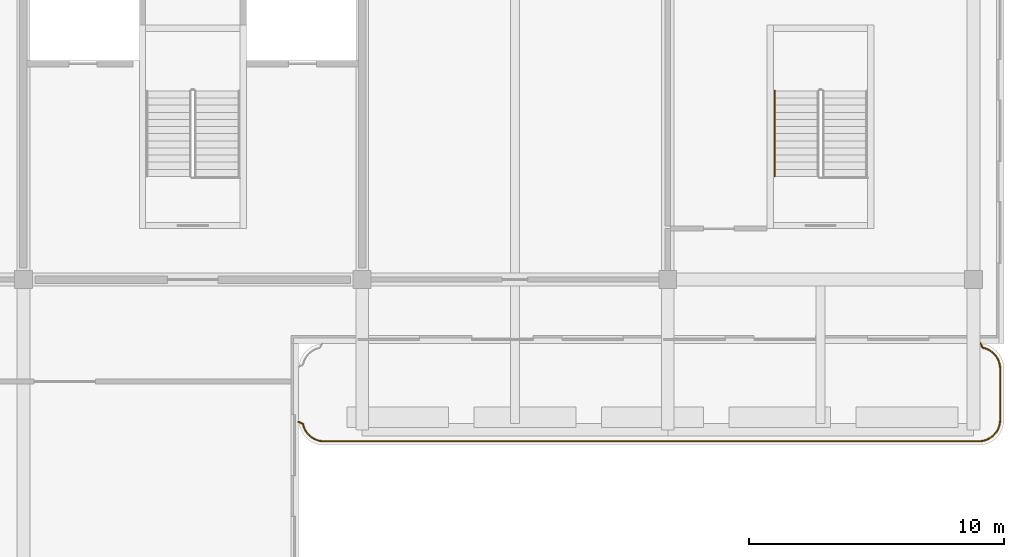
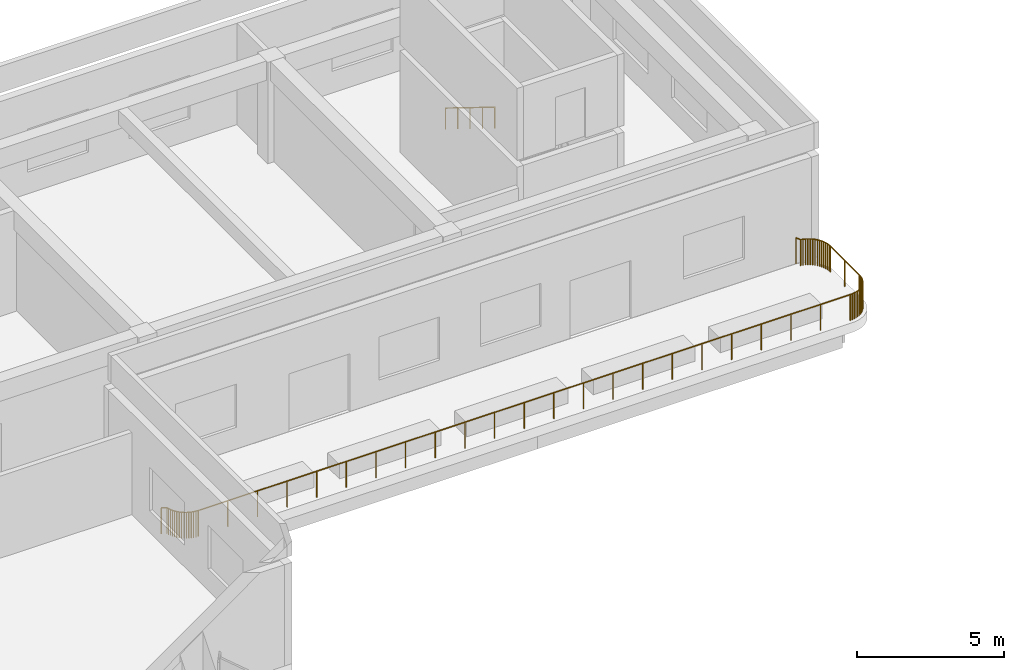
# One storey, part 34 of 35: 2 railings.
"""IFC4 building model written with IfcOpenShell, lengths in metres."""

from ifc_helpers import new_model, si_unit, direction, frame, origin, origin_2d, place, context, subcontext, project, spatial, circle, extrude, material, type_object, element, save


model = new_model("IFC4")

# Units and contexts
model_context = context("Model", 3, precision=1e-05, world=origin(), true_north=direction((0.0, 1.0)))
body_context = subcontext(model_context, "Body", "Model", "MODEL_VIEW")
ifc_project = project(units=[si_unit("LENGTHUNIT", "METRE"), si_unit("AREAUNIT", "SQUARE_METRE"), si_unit("VOLUMEUNIT", "CUBIC_METRE"), si_unit("PLANEANGLEUNIT", "RADIAN"), si_unit("MASSUNIT", "GRAM", prefix="KILO")], contexts=[model_context])

# Site, building, storey
site_placement = place(None, origin())
site = spatial("IfcSite", under=ifc_project, at=site_placement, CompositionType="ELEMENT")
building_placement = place(site_placement, origin())
building = spatial("IfcBuilding", under=site, at=building_placement, Name="Kilnfold Tower and Market Hall", CompositionType="ELEMENT")
storey_placement = place(building_placement, frame((0.0, 0.0, 22.5)))
storey = spatial("IfcBuildingStorey", under=building, at=storey_placement, Name="L04", CompositionType="ELEMENT", Elevation=22.5)

# Railings
ifc_material_1 = material(Name="Steel S355", Category="steel")
railing_type_1 = type_object("IfcRailingType", Name="HALL STAIR HANDRAIL", PredefinedType="HANDRAIL", material=ifc_material_1)
railing_1_placement = place(storey_placement, frame((46.85009765625, 50.06005859375, 2.423095703125)))
element("IfcRailing", 1, at=railing_1_placement, inside=storey, type_object=railing_type_1, Name="L04 MS6 stair handrail 2", PredefinedType="HANDRAIL", context=body_context, shape_type="SweptSolid", body=[
    extrude(circle(Radius=0.02392578125, at=origin_2d()), frame((0.0, 0.0, 0.8759765625), z_axis=(0.0, -0.850623216509, 0.525775754039), x_axis=(1.0, 0.0, 0.0)), (0.0, 0.0, 1.0), 3.9501953125),
    extrude(circle(Radius=0.02099609375, at=origin_2d()), origin(), (0.0, 0.0, 1.0), 0.851806640625),
    extrude(circle(Radius=0.02099609375, at=origin_2d()), frame((0.0, -0.840087890625, 0.519287109375)), (0.0, 0.0, 1.0), 0.851806640625),
    extrude(circle(Radius=0.02099609375, at=origin_2d()), frame((0.0, -1.68017578125, 1.03857421875)), (0.0, 0.0, 1.0), 0.851806640625),
    extrude(circle(Radius=0.02099609375, at=origin_2d()), frame((0.0, -2.52001953125, 1.5576171875)), (0.0, 0.0, 1.0), 0.851806640625),
    extrude(circle(Radius=0.02099609375, at=origin_2d()), frame((0.0, -3.360107421875, 2.076904296875)), (0.0, 0.0, 1.0), 0.851806640625),
])
ifc_material_2 = material(Name="Steel S355", Category="steel")
railing_type_2 = type_object("IfcRailingType", Name="TERRACE GUARD 1100", PredefinedType="GUARDRAIL", material=ifc_material_2)
railing_2_placement = place(storey_placement, frame((54.933349609375, 40.14990234375, 0.0)))
element("IfcRailing", 2, at=railing_2_placement, inside=storey, type_object=railing_type_2, Name="Terrace guard L04", PredefinedType="GUARDRAIL", context=body_context, shape_type="SweptSolid", body=[
    extrude(circle(Radius=0.02392578125, at=origin_2d()), frame((0.0, 0.0, 1.076171875), z_axis=(0.42350270475, -0.905894838858, 0.0), x_axis=(0.905894838858, 0.42350270475, 0.0)), (0.0, 0.0, 1.0), 0.19482421875),
    extrude(circle(Radius=0.02392578125, at=origin_2d()), frame((0.08251953125, -0.176513671875, 1.076171875), z_axis=(0.969969877317, -0.243225074977, 0.0), x_axis=(0.243225074977, 0.969969877317, 0.0)), (0.0, 0.0, 1.0), 0.083251953125),
    extrude(circle(Radius=0.02392578125, at=origin_2d()), frame((0.163330078125, -0.19677734375, 1.076171875), z_axis=(0.941741911595, -0.336336396998, 0.0), x_axis=(0.336336396998, 0.941741911595, 0.0)), (0.0, 0.0, 1.0), 0.08349609375),
    extrude(circle(Radius=0.02392578125, at=origin_2d()), frame((0.241943359375, -0.224853515625, 1.076171875), z_axis=(0.903618326629, -0.428338557428, 0.0), x_axis=(0.428338557428, 0.903618326629, 0.0)), (0.0, 0.0, 1.0), 0.083251953125),
    extrude(circle(Radius=0.02392578125, at=origin_2d()), frame((0.317138671875, -0.260498046875, 1.076171875), z_axis=(0.858525353686, -0.512771115683, 0.0), x_axis=(0.512771115683, 0.858525353686, 0.0)), (0.0, 0.0, 1.0), 0.083251953125),
    extrude(circle(Radius=0.02392578125, at=origin_2d()), frame((0.388671875, -0.30322265625, 1.076171875), z_axis=(0.803143107794, -0.595786159963, 0.0), x_axis=(0.595786159963, 0.803143107794, 0.0)), (0.0, 0.0, 1.0), 0.08349609375),
    extrude(circle(Radius=0.02392578125, at=origin_2d()), frame((0.455810546875, -0.35302734375, 1.076171875), z_axis=(0.741396915291, -0.671066773129, 0.0), x_axis=(0.671066773129, 0.741396915291, 0.0)), (0.0, 0.0, 1.0), 0.083251953125),
    extrude(circle(Radius=0.02392578125, at=origin_2d()), frame((0.517578125, -0.408935546875, 1.076171875), z_axis=(0.671066773129, -0.741396915291, 0.0), x_axis=(0.741396915291, 0.671066773129, 0.0)), (0.0, 0.0, 1.0), 0.083251953125),
    extrude(circle(Radius=0.02392578125, at=origin_2d()), frame((0.573486328125, -0.470703125, 1.076171875), z_axis=(0.595786159963, -0.803143107794, 0.0), x_axis=(0.803143107794, 0.595786159963, 0.0)), (0.0, 0.0, 1.0), 0.08349609375),
    extrude(circle(Radius=0.02392578125, at=origin_2d()), frame((0.623291015625, -0.537841796875, 1.076171875), z_axis=(0.514925942955, -0.857234666397, 0.0), x_axis=(0.857234666397, 0.514925942955, 0.0)), (0.0, 0.0, 1.0), 0.08349609375),
    extrude(circle(Radius=0.02392578125, at=origin_2d()), frame((0.666259765625, -0.609375, 1.076171875), z_axis=(0.424809143949, -0.905282934346, 0.0), x_axis=(0.905282934346, 0.424809143949, 0.0)), (0.0, 0.0, 1.0), 0.083251953125),
    extrude(circle(Radius=0.02392578125, at=origin_2d()), frame((0.70166015625, -0.684814453125, 1.076171875), z_axis=(0.337265155703, -0.941409695483, 0.0), x_axis=(0.941409695483, 0.337265155703, 0.0)), (0.0, 0.0, 1.0), 0.083251953125),
    extrude(circle(Radius=0.02392578125, at=origin_2d()), frame((0.729736328125, -0.76318359375, 1.076171875), z_axis=(0.245979182383, -0.969275111531, 0.0), x_axis=(0.969275111531, 0.245979182383, 0.0)), (0.0, 0.0, 1.0), 0.083251953125),
    extrude(circle(Radius=0.02392578125, at=origin_2d()), frame((0.750244140625, -0.843994140625, 1.076171875), z_axis=(0.146336518873, -0.989234867584, 0.0), x_axis=(0.989234867584, 0.146336518873, 0.0)), (0.0, 0.0, 1.0), 0.08349609375),
    extrude(circle(Radius=0.02392578125, at=origin_2d()), frame((0.762451171875, -0.926513671875, 1.076171875), z_axis=(0.047565149415, -0.998868137724, 0.0), x_axis=(0.998868137724, 0.047565149415, 0.0)), (0.0, 0.0, 1.0), 0.087158203125),
    extrude(circle(Radius=0.02392578125, at=origin_2d()), frame((0.7666015625, -1.013671875, 1.076171875), z_axis=(0.0, -1.0, 0.0), x_axis=(1.0, 0.0, 0.0)), (0.0, 0.0, 1.0), 1.982421875),
    extrude(circle(Radius=0.02392578125, at=origin_2d()), frame((0.7666015625, -2.99609375, 1.076171875), z_axis=(-0.047565149415, -0.998868137724, 0.0), x_axis=(0.998868137724, -0.047565149415, 0.0)), (0.0, 0.0, 1.0), 0.087158203125),
    extrude(circle(Radius=0.02392578125, at=origin_2d()), frame((0.762451171875, -3.083251953125, 1.076171875), z_axis=(-0.146336518873, -0.989234867584, 0.0), x_axis=(0.989234867584, -0.146336518873, 0.0)), (0.0, 0.0, 1.0), 0.08349609375),
    extrude(circle(Radius=0.02392578125, at=origin_2d()), frame((0.750244140625, -3.165771484375, 1.076171875), z_axis=(-0.245979182383, -0.969275111531, 0.0), x_axis=(0.969275111531, -0.245979182383, 0.0)), (0.0, 0.0, 1.0), 0.083251953125),
    extrude(circle(Radius=0.02392578125, at=origin_2d()), frame((0.729736328125, -3.24658203125, 1.076171875), z_axis=(-0.336336396998, -0.941741911595, 0.0), x_axis=(0.941741911595, -0.336336396998, 0.0)), (0.0, 0.0, 1.0), 0.08349609375),
    extrude(circle(Radius=0.02392578125, at=origin_2d()), frame((0.70166015625, -3.3251953125, 1.076171875), z_axis=(-0.425938497463, -0.904752118748, 0.0), x_axis=(0.904752118748, -0.425938497463, 0.0)), (0.0, 0.0, 1.0), 0.0830078125),
    extrude(circle(Radius=0.02392578125, at=origin_2d()), frame((0.666259765625, -3.400390625, 1.076171875), z_axis=(-0.514925942955, -0.857234666397, 0.0), x_axis=(0.857234666397, -0.514925942955, 0.0)), (0.0, 0.0, 1.0), 0.08349609375),
    extrude(circle(Radius=0.02392578125, at=origin_2d()), frame((0.623291015625, -3.471923828125, 1.076171875), z_axis=(-0.595786159963, -0.803143107794, 0.0), x_axis=(0.803143107794, -0.595786159963, 0.0)), (0.0, 0.0, 1.0), 0.08349609375),
    extrude(circle(Radius=0.02392578125, at=origin_2d()), frame((0.573486328125, -3.5390625, 1.076171875), z_axis=(-0.671066773129, -0.741396915291, 0.0), x_axis=(0.741396915291, -0.671066773129, 0.0)), (0.0, 0.0, 1.0), 0.083251953125),
    extrude(circle(Radius=0.02392578125, at=origin_2d()), frame((0.517578125, -3.600830078125, 1.076171875), z_axis=(-0.741396915291, -0.671066773129, 0.0), x_axis=(0.671066773129, -0.741396915291, 0.0)), (0.0, 0.0, 1.0), 0.083251953125),
    extrude(circle(Radius=0.02392578125, at=origin_2d()), frame((0.455810546875, -3.65673828125, 1.076171875), z_axis=(-0.803143107794, -0.595786159963, 0.0), x_axis=(0.595786159963, -0.803143107794, 0.0)), (0.0, 0.0, 1.0), 0.08349609375),
    extrude(circle(Radius=0.02392578125, at=origin_2d()), frame((0.388671875, -3.70654296875, 1.076171875), z_axis=(-0.857234666397, -0.514925942955, 0.0), x_axis=(0.514925942955, -0.857234666397, 0.0)), (0.0, 0.0, 1.0), 0.08349609375),
    extrude(circle(Radius=0.02392578125, at=origin_2d()), frame((0.317138671875, -3.74951171875, 1.076171875), z_axis=(-0.904752118748, -0.425938497463, 0.0), x_axis=(0.425938497463, -0.904752118748, 0.0)), (0.0, 0.0, 1.0), 0.0830078125),
    extrude(circle(Radius=0.02392578125, at=origin_2d()), frame((0.241943359375, -3.784912109375, 1.076171875), z_axis=(-0.941741911595, -0.336336396998, 0.0), x_axis=(0.336336396998, -0.941741911595, 0.0)), (0.0, 0.0, 1.0), 0.08349609375),
    extrude(circle(Radius=0.02392578125, at=origin_2d()), frame((0.163330078125, -3.81298828125, 1.076171875), z_axis=(-0.969275111531, -0.245979182383, 0.0), x_axis=(0.245979182383, -0.969275111531, 0.0)), (0.0, 0.0, 1.0), 0.083251953125),
    extrude(circle(Radius=0.02392578125, at=origin_2d()), frame((0.08251953125, -3.83349609375, 1.076171875), z_axis=(-0.989234867584, -0.146336518873, 0.0), x_axis=(0.146336518873, -0.989234867584, 0.0)), (0.0, 0.0, 1.0), 0.08349609375),
    extrude(circle(Radius=0.02392578125, at=origin_2d()), frame((0.0, -3.845703125, 1.076171875), z_axis=(-0.998868137724, -0.047565149415, 0.0), x_axis=(0.047565149415, -0.998868137724, 0.0)), (0.0, 0.0, 1.0), 0.087158203125),
    extrude(circle(Radius=0.02392578125, at=origin_2d()), frame((-0.087158203125, -3.849853515625, 1.076171875), z_axis=(-1.0, 0.0, 0.0), x_axis=(0.0, -1.0, 0.0)), (0.0, 0.0, 1.0), 25.682373046875),
    extrude(circle(Radius=0.02392578125, at=origin_2d()), frame((-25.76953125, -3.849853515625, 1.076171875), z_axis=(-0.998868137724, 0.047565149415, 0.0), x_axis=(-0.047565149415, -0.998868137724, 0.0)), (0.0, 0.0, 1.0), 0.087158203125),
    extrude(circle(Radius=0.02392578125, at=origin_2d()), frame((-25.856689453125, -3.845703125, 1.076171875), z_axis=(-0.989234867584, 0.146336518873, 0.0), x_axis=(-0.146336518873, -0.989234867584, 0.0)), (0.0, 0.0, 1.0), 0.08349609375),
    extrude(circle(Radius=0.02392578125, at=origin_2d()), frame((-25.939208984375, -3.83349609375, 1.076171875), z_axis=(-0.969275111531, 0.245979182383, 0.0), x_axis=(-0.245979182383, -0.969275111531, 0.0)), (0.0, 0.0, 1.0), 0.083251953125),
    extrude(circle(Radius=0.02392578125, at=origin_2d()), frame((-26.02001953125, -3.81298828125, 1.076171875), z_axis=(-0.941741911595, 0.336336396998, 0.0), x_axis=(-0.336336396998, -0.941741911595, 0.0)), (0.0, 0.0, 1.0), 0.08349609375),
    extrude(circle(Radius=0.02392578125, at=origin_2d()), frame((-26.0986328125, -3.784912109375, 1.076171875), z_axis=(-0.904752118748, 0.425938497463, 0.0), x_axis=(-0.425938497463, -0.904752118748, 0.0)), (0.0, 0.0, 1.0), 0.0830078125),
    extrude(circle(Radius=0.02392578125, at=origin_2d()), frame((-26.173828125, -3.74951171875, 1.076171875), z_axis=(-0.857234666397, 0.514925942955, 0.0), x_axis=(-0.514925942955, -0.857234666397, 0.0)), (0.0, 0.0, 1.0), 0.08349609375),
    extrude(circle(Radius=0.02392578125, at=origin_2d()), frame((-26.245361328125, -3.70654296875, 1.076171875), z_axis=(-0.803143107794, 0.595786159963, 0.0), x_axis=(-0.595786159963, -0.803143107794, 0.0)), (0.0, 0.0, 1.0), 0.08349609375),
    extrude(circle(Radius=0.02392578125, at=origin_2d()), frame((-26.3125, -3.65673828125, 1.076171875), z_axis=(-0.741396915291, 0.671066773129, 0.0), x_axis=(-0.671066773129, -0.741396915291, 0.0)), (0.0, 0.0, 1.0), 0.083251953125),
    extrude(circle(Radius=0.02392578125, at=origin_2d()), frame((-26.374267578125, -3.600830078125, 1.076171875), z_axis=(-0.671066773129, 0.741396915291, 0.0), x_axis=(-0.741396915291, -0.671066773129, 0.0)), (0.0, 0.0, 1.0), 0.083251953125),
    extrude(circle(Radius=0.02392578125, at=origin_2d()), frame((-26.43017578125, -3.5390625, 1.076171875), z_axis=(-0.595786159963, 0.803143107794, 0.0), x_axis=(-0.803143107794, -0.595786159963, 0.0)), (0.0, 0.0, 1.0), 0.08349609375),
    extrude(circle(Radius=0.02392578125, at=origin_2d()), frame((-26.47998046875, -3.471923828125, 1.076171875), z_axis=(-0.514925942955, 0.857234666397, 0.0), x_axis=(-0.857234666397, -0.514925942955, 0.0)), (0.0, 0.0, 1.0), 0.08349609375),
    extrude(circle(Radius=0.02392578125, at=origin_2d()), frame((-26.52294921875, -3.400390625, 1.076171875), z_axis=(-0.425938497463, 0.904752118748, 0.0), x_axis=(-0.904752118748, -0.425938497463, 0.0)), (0.0, 0.0, 1.0), 0.0830078125),
    extrude(circle(Radius=0.02392578125, at=origin_2d()), frame((-26.558349609375, -3.3251953125, 1.076171875), z_axis=(-0.338926384952, 0.940812896161, 0.0), x_axis=(-0.940812896161, -0.338926384952, 0.0)), (0.0, 0.0, 1.0), 0.08349609375),
    extrude(circle(Radius=0.02392578125, at=origin_2d()), frame((-26.586669921875, -3.24658203125, 1.076171875), z_axis=(-0.243225074977, 0.969969877317, 0.0), x_axis=(-0.969969877317, -0.243225074977, 0.0)), (0.0, 0.0, 1.0), 0.083251953125),
    extrude(circle(Radius=0.02392578125, at=origin_2d()), frame((-26.60693359375, -3.165771484375, 1.076171875), z_axis=(-0.905894838858, 0.42350270475, 0.0), x_axis=(-0.42350270475, -0.905894838858, 0.0)), (0.0, 0.0, 1.0), 0.19482421875),
    extrude(circle(Radius=0.02099609375, at=origin_2d()), origin(), (0.0, 0.0, 1.0), 1.052001953125),
    extrude(circle(Radius=0.02099609375, at=origin_2d()), frame((0.08251953125, -0.176513671875, 0.0)), (0.0, 0.0, 1.0), 1.052001953125),
    extrude(circle(Radius=0.02099609375, at=origin_2d()), frame((0.163330078125, -0.19677734375, 0.0)), (0.0, 0.0, 1.0), 1.052001953125),
    extrude(circle(Radius=0.02099609375, at=origin_2d()), frame((0.241943359375, -0.224853515625, 0.0)), (0.0, 0.0, 1.0), 1.052001953125),
    extrude(circle(Radius=0.02099609375, at=origin_2d()), frame((0.317138671875, -0.260498046875, 0.0)), (0.0, 0.0, 1.0), 1.052001953125),
    extrude(circle(Radius=0.02099609375, at=origin_2d()), frame((0.388671875, -0.30322265625, 0.0)), (0.0, 0.0, 1.0), 1.052001953125),
    extrude(circle(Radius=0.02099609375, at=origin_2d()), frame((0.455810546875, -0.35302734375, 0.0)), (0.0, 0.0, 1.0), 1.052001953125),
    extrude(circle(Radius=0.02099609375, at=origin_2d()), frame((0.517578125, -0.408935546875, 0.0)), (0.0, 0.0, 1.0), 1.052001953125),
    extrude(circle(Radius=0.02099609375, at=origin_2d()), frame((0.573486328125, -0.470703125, 0.0)), (0.0, 0.0, 1.0), 1.052001953125),
    extrude(circle(Radius=0.02099609375, at=origin_2d()), frame((0.623291015625, -0.537841796875, 0.0)), (0.0, 0.0, 1.0), 1.052001953125),
    extrude(circle(Radius=0.02099609375, at=origin_2d()), frame((0.666259765625, -0.609375, 0.0)), (0.0, 0.0, 1.0), 1.052001953125),
    extrude(circle(Radius=0.02099609375, at=origin_2d()), frame((0.70166015625, -0.684814453125, 0.0)), (0.0, 0.0, 1.0), 1.052001953125),
    extrude(circle(Radius=0.02099609375, at=origin_2d()), frame((0.729736328125, -0.76318359375, 0.0)), (0.0, 0.0, 1.0), 1.052001953125),
    extrude(circle(Radius=0.02099609375, at=origin_2d()), frame((0.750244140625, -0.843994140625, 0.0)), (0.0, 0.0, 1.0), 1.052001953125),
    extrude(circle(Radius=0.02099609375, at=origin_2d()), frame((0.762451171875, -0.926513671875, 0.0)), (0.0, 0.0, 1.0), 1.052001953125),
    extrude(circle(Radius=0.02099609375, at=origin_2d()), frame((0.7666015625, -1.013671875, 0.0)), (0.0, 0.0, 1.0), 1.052001953125),
    extrude(circle(Radius=0.02099609375, at=origin_2d()), frame((0.7666015625, -2.0048828125, 0.0)), (0.0, 0.0, 1.0), 1.052001953125),
    extrude(circle(Radius=0.02099609375, at=origin_2d()), frame((0.7666015625, -2.99609375, 0.0)), (0.0, 0.0, 1.0), 1.052001953125),
    extrude(circle(Radius=0.02099609375, at=origin_2d()), frame((0.762451171875, -3.083251953125, 0.0)), (0.0, 0.0, 1.0), 1.052001953125),
    extrude(circle(Radius=0.02099609375, at=origin_2d()), frame((0.750244140625, -3.165771484375, 0.0)), (0.0, 0.0, 1.0), 1.052001953125),
    extrude(circle(Radius=0.02099609375, at=origin_2d()), frame((0.729736328125, -3.24658203125, 0.0)), (0.0, 0.0, 1.0), 1.052001953125),
    extrude(circle(Radius=0.02099609375, at=origin_2d()), frame((0.70166015625, -3.3251953125, 0.0)), (0.0, 0.0, 1.0), 1.052001953125),
    extrude(circle(Radius=0.02099609375, at=origin_2d()), frame((0.666259765625, -3.400390625, 0.0)), (0.0, 0.0, 1.0), 1.052001953125),
    extrude(circle(Radius=0.02099609375, at=origin_2d()), frame((0.623291015625, -3.471923828125, 0.0)), (0.0, 0.0, 1.0), 1.052001953125),
    extrude(circle(Radius=0.02099609375, at=origin_2d()), frame((0.573486328125, -3.5390625, 0.0)), (0.0, 0.0, 1.0), 1.052001953125),
    extrude(circle(Radius=0.02099609375, at=origin_2d()), frame((0.517578125, -3.600830078125, 0.0)), (0.0, 0.0, 1.0), 1.052001953125),
    extrude(circle(Radius=0.02099609375, at=origin_2d()), frame((0.455810546875, -3.65673828125, 0.0)), (0.0, 0.0, 1.0), 1.052001953125),
    extrude(circle(Radius=0.02099609375, at=origin_2d()), frame((0.388671875, -3.70654296875, 0.0)), (0.0, 0.0, 1.0), 1.052001953125),
    extrude(circle(Radius=0.02099609375, at=origin_2d()), frame((0.317138671875, -3.74951171875, 0.0)), (0.0, 0.0, 1.0), 1.052001953125),
    extrude(circle(Radius=0.02099609375, at=origin_2d()), frame((0.241943359375, -3.784912109375, 0.0)), (0.0, 0.0, 1.0), 1.052001953125),
    extrude(circle(Radius=0.02099609375, at=origin_2d()), frame((0.163330078125, -3.81298828125, 0.0)), (0.0, 0.0, 1.0), 1.052001953125),
    extrude(circle(Radius=0.02099609375, at=origin_2d()), frame((0.08251953125, -3.83349609375, 0.0)), (0.0, 0.0, 1.0), 1.052001953125),
    extrude(circle(Radius=0.02099609375, at=origin_2d()), frame((0.0, -3.845703125, 0.0)), (0.0, 0.0, 1.0), 1.052001953125),
    extrude(circle(Radius=0.02099609375, at=origin_2d()), frame((-0.087158203125, -3.849853515625, 0.0)), (0.0, 0.0, 1.0), 1.052001953125),
    extrude(circle(Radius=0.02099609375, at=origin_2d()), frame((-1.254638671875, -3.849853515625, 0.0)), (0.0, 0.0, 1.0), 1.052001953125),
    extrude(circle(Radius=0.02099609375, at=origin_2d()), frame((-2.421875, -3.849853515625, 0.0)), (0.0, 0.0, 1.0), 1.052001953125),
    extrude(circle(Radius=0.02099609375, at=origin_2d()), frame((-3.58935546875, -3.849853515625, 0.0)), (0.0, 0.0, 1.0), 1.052001953125),
    extrude(circle(Radius=0.02099609375, at=origin_2d()), frame((-4.756591796875, -3.849853515625, 0.0)), (0.0, 0.0, 1.0), 1.052001953125),
    extrude(circle(Radius=0.02099609375, at=origin_2d()), frame((-5.924072265625, -3.849853515625, 0.0)), (0.0, 0.0, 1.0), 1.052001953125),
    extrude(circle(Radius=0.02099609375, at=origin_2d()), frame((-7.091552734375, -3.849853515625, 0.0)), (0.0, 0.0, 1.0), 1.052001953125),
    extrude(circle(Radius=0.02099609375, at=origin_2d()), frame((-8.2587890625, -3.849853515625, 0.0)), (0.0, 0.0, 1.0), 1.052001953125),
    extrude(circle(Radius=0.02099609375, at=origin_2d()), frame((-9.42626953125, -3.849853515625, 0.0)), (0.0, 0.0, 1.0), 1.052001953125),
    extrude(circle(Radius=0.02099609375, at=origin_2d()), frame((-10.593505859375, -3.849853515625, 0.0)), (0.0, 0.0, 1.0), 1.052001953125),
    extrude(circle(Radius=0.02099609375, at=origin_2d()), frame((-11.760986328125, -3.849853515625, 0.0)), (0.0, 0.0, 1.0), 1.052001953125),
    extrude(circle(Radius=0.02099609375, at=origin_2d()), frame((-12.92822265625, -3.849853515625, 0.0)), (0.0, 0.0, 1.0), 1.052001953125),
    extrude(circle(Radius=0.02099609375, at=origin_2d()), frame((-14.095703125, -3.849853515625, 0.0)), (0.0, 0.0, 1.0), 1.052001953125),
    extrude(circle(Radius=0.02099609375, at=origin_2d()), frame((-15.26318359375, -3.849853515625, 0.0)), (0.0, 0.0, 1.0), 1.052001953125),
    extrude(circle(Radius=0.02099609375, at=origin_2d()), frame((-16.430419921875, -3.849853515625, 0.0)), (0.0, 0.0, 1.0), 1.052001953125),
    extrude(circle(Radius=0.02099609375, at=origin_2d()), frame((-17.597900390625, -3.849853515625, 0.0)), (0.0, 0.0, 1.0), 1.052001953125),
    extrude(circle(Radius=0.02099609375, at=origin_2d()), frame((-18.76513671875, -3.849853515625, 0.0)), (0.0, 0.0, 1.0), 1.052001953125),
    extrude(circle(Radius=0.02099609375, at=origin_2d()), frame((-19.9326171875, -3.849853515625, 0.0)), (0.0, 0.0, 1.0), 1.052001953125),
    extrude(circle(Radius=0.02099609375, at=origin_2d()), frame((-21.10009765625, -3.849853515625, 0.0)), (0.0, 0.0, 1.0), 1.052001953125),
    extrude(circle(Radius=0.02099609375, at=origin_2d()), frame((-22.267333984375, -3.849853515625, 0.0)), (0.0, 0.0, 1.0), 1.052001953125),
    extrude(circle(Radius=0.02099609375, at=origin_2d()), frame((-23.434814453125, -3.849853515625, 0.0)), (0.0, 0.0, 1.0), 1.052001953125),
    extrude(circle(Radius=0.02099609375, at=origin_2d()), frame((-24.60205078125, -3.849853515625, 0.0)), (0.0, 0.0, 1.0), 1.052001953125),
    extrude(circle(Radius=0.02099609375, at=origin_2d()), frame((-25.76953125, -3.849853515625, 0.0)), (0.0, 0.0, 1.0), 1.052001953125),
    extrude(circle(Radius=0.02099609375, at=origin_2d()), frame((-25.856689453125, -3.845703125, 0.0)), (0.0, 0.0, 1.0), 1.052001953125),
    extrude(circle(Radius=0.02099609375, at=origin_2d()), frame((-25.939208984375, -3.83349609375, 0.0)), (0.0, 0.0, 1.0), 1.052001953125),
    extrude(circle(Radius=0.02099609375, at=origin_2d()), frame((-26.02001953125, -3.81298828125, 0.0)), (0.0, 0.0, 1.0), 1.052001953125),
    extrude(circle(Radius=0.02099609375, at=origin_2d()), frame((-26.0986328125, -3.784912109375, 0.0)), (0.0, 0.0, 1.0), 1.052001953125),
    extrude(circle(Radius=0.02099609375, at=origin_2d()), frame((-26.173828125, -3.74951171875, 0.0)), (0.0, 0.0, 1.0), 1.052001953125),
    extrude(circle(Radius=0.02099609375, at=origin_2d()), frame((-26.245361328125, -3.70654296875, 0.0)), (0.0, 0.0, 1.0), 1.052001953125),
    extrude(circle(Radius=0.02099609375, at=origin_2d()), frame((-26.3125, -3.65673828125, 0.0)), (0.0, 0.0, 1.0), 1.052001953125),
    extrude(circle(Radius=0.02099609375, at=origin_2d()), frame((-26.374267578125, -3.600830078125, 0.0)), (0.0, 0.0, 1.0), 1.052001953125),
    extrude(circle(Radius=0.02099609375, at=origin_2d()), frame((-26.43017578125, -3.5390625, 0.0)), (0.0, 0.0, 1.0), 1.052001953125),
    extrude(circle(Radius=0.02099609375, at=origin_2d()), frame((-26.47998046875, -3.471923828125, 0.0)), (0.0, 0.0, 1.0), 1.052001953125),
    extrude(circle(Radius=0.02099609375, at=origin_2d()), frame((-26.52294921875, -3.400390625, 0.0)), (0.0, 0.0, 1.0), 1.052001953125),
    extrude(circle(Radius=0.02099609375, at=origin_2d()), frame((-26.558349609375, -3.3251953125, 0.0)), (0.0, 0.0, 1.0), 1.052001953125),
    extrude(circle(Radius=0.02099609375, at=origin_2d()), frame((-26.586669921875, -3.24658203125, 0.0)), (0.0, 0.0, 1.0), 1.052001953125),
    extrude(circle(Radius=0.02099609375, at=origin_2d()), frame((-26.60693359375, -3.165771484375, 0.0)), (0.0, 0.0, 1.0), 1.052001953125),
    extrude(circle(Radius=0.02099609375, at=origin_2d()), frame((-26.783447265625, -3.083251953125, 0.0)), (0.0, 0.0, 1.0), 1.052001953125),
])

save(model, "model.ifc")
